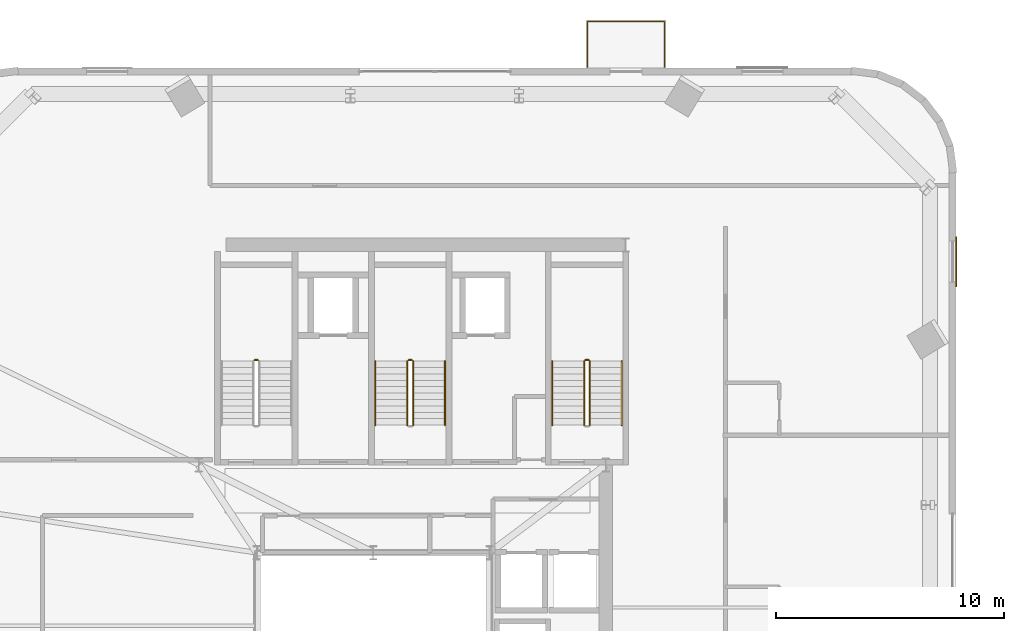
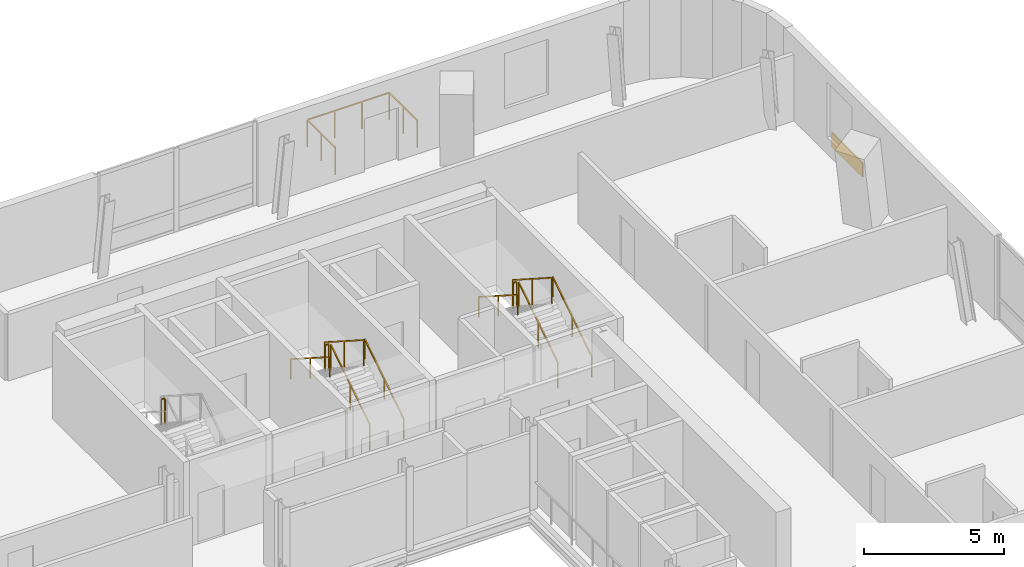
# One storey, part 15 of 15: 12 railings, 1 covering.
"""IFC4 building model written with IfcOpenShell, lengths in metres."""

import ifcopenshell
import ifcopenshell.guid

model = None  # the IFC model being written
_history = None  # IfcOwnerHistory: only IFC2X3 demands one
_inside = {}  # id of a spatial element -> (the spatial element, [elements in it])
_under = {}  # id of a project, library or spatial element -> (it, [spatial elements below it])
_declared = {}  # id of a project -> (the project, [libraries it declares])
_typed = {}  # id of a type object -> (the type object, [elements of that type])
_made_of = {}  # id of a material, layer set ... -> (it, [elements and type objects made of it])


def new_model(schema):
    """Start an empty IFC model of exactly this schema.

    Asked for "IFC4X3", IfcOpenShell would pick the latest addendum, in which some entities
    have other attributes; the version numbers below select the first issue.
    IFC2X3 requires an IfcOwnerHistory on every rooted entity: one is made here for all.
    """
    global model, _history
    if schema == "IFC4X3":
        model = ifcopenshell.file(schema_version=(4, 3, 0, 0))
    else:
        model = ifcopenshell.file(schema=schema)
    _inside.clear()
    _under.clear()
    _declared.clear()
    _typed.clear()
    _made_of.clear()
    _history = None
    if model.schema == "IFC2X3":
        org = make("IfcOrganization", Name="unknown")
        user = make(
            "IfcPersonAndOrganization",
            ThePerson=make("IfcPerson", FamilyName="unknown"),
            TheOrganization=org,
        )
        app = make(
            "IfcApplication",
            ApplicationDeveloper=org,
            Version="unknown",
            ApplicationFullName="unknown",
            ApplicationIdentifier="unknown",
        )
        _history = make(
            "IfcOwnerHistory",
            OwningUser=user,
            OwningApplication=app,
            ChangeAction="ADDED",
            CreationDate=0,
        )
    return model


def make(cls, **values):
    """One entity of the class cls with the attributes given. An attribute that is None is left unset."""
    return model.create_entity(
        cls, **{name: value for name, value in values.items() if value is not None}
    )


def rooted(cls, **values):
    """An entity with a GlobalId (a new one), such as an element, a storey or a relation."""
    return make(cls, GlobalId=ifcopenshell.guid.new(), OwnerHistory=_history, **values)


def si_unit(unit_type, name, prefix=None):
    """IfcSIUnit, for example si_unit("LENGTHUNIT", "METRE", prefix="MILLI")."""
    return make("IfcSIUnit", UnitType=unit_type, Prefix=prefix, Name=name)


def assignment(units):
    """IfcUnitAssignment: the units of a project."""
    return None if units is None else make("IfcUnitAssignment", Units=units)


def point(xyz):
    """IfcCartesianPoint."""
    return None if xyz is None else make("IfcCartesianPoint", Coordinates=xyz)


def direction(xyz):
    """IfcDirection."""
    return None if xyz is None else make("IfcDirection", DirectionRatios=xyz)


def frame(location, z_axis=None, x_axis=None):
    """IfcAxis2Placement3D, a coordinate frame: its origin and axes. An axis left out is left unset."""
    return make(
        "IfcAxis2Placement3D",
        Location=point(location),
        Axis=direction(z_axis),
        RefDirection=direction(x_axis),
    )


def frame_2d(location, x_axis=None):
    """IfcAxis2Placement2D, a coordinate frame in the plane: its origin and x axis."""
    return make(
        "IfcAxis2Placement2D", Location=point(location), RefDirection=direction(x_axis)
    )


def origin():
    """The frame at (0, 0, 0) with its axes left unset."""
    return frame((0.0, 0.0, 0.0))


def origin_2d():
    """The frame at (0, 0) in the plane with its x axis left unset."""
    return frame_2d((0.0, 0.0))


def place(relative_to, where):
    """IfcLocalPlacement: puts the frame where relative to a parent placement (None: the world)."""
    return make(
        "IfcLocalPlacement", PlacementRelTo=relative_to, RelativePlacement=where
    )


def context(
    kind, dimensions, precision=None, world=None, true_north=None, identifier=None
):
    """IfcGeometricRepresentationContext, for example the 3D "Model" context."""
    return make(
        "IfcGeometricRepresentationContext",
        ContextIdentifier=identifier,
        ContextType=kind,
        CoordinateSpaceDimension=dimensions,
        Precision=precision,
        WorldCoordinateSystem=world,
        TrueNorth=true_north,
    )


def subcontext(parent, identifier, kind, view, scale=None):
    """IfcGeometricRepresentationSubContext, for example "Body" below "Model"."""
    return make(
        "IfcGeometricRepresentationSubContext",
        ContextIdentifier=identifier,
        ContextType=kind,
        ParentContext=parent,
        TargetScale=scale,
        TargetView=view,
    )


def project(units=None, contexts=None):
    """IfcProject with its units and contexts."""
    return rooted(
        "IfcProject",
        Name="project",
        RepresentationContexts=contexts,
        UnitsInContext=assignment(units),
    )


def spatial(cls, under=None, at=None, **own):
    """A site, building, storey or space (cls), placed at a placement, below another one or the project."""
    s = rooted(cls, ObjectPlacement=at, **own)
    if under is not None:
        _under.setdefault(under.id(), (under, []))[1].append(s)
    return s


def profile(cls, at=None, kind="AREA", **sizes):
    """A parametric profile (cls). Its sizes go by their IFC names, for example OverallWidth=200.0."""
    return make(cls, ProfileType=kind, Position=at, **sizes)


def rectangle(**sizes):
    """IfcRectangleProfileDef."""
    return profile("IfcRectangleProfileDef", **sizes)


def extrude(swept, where, along, depth):
    """IfcExtrudedAreaSolid: the profile swept, set in the frame where, extruded along a direction by depth."""
    return make(
        "IfcExtrudedAreaSolid",
        SweptArea=swept,
        Position=where,
        ExtrudedDirection=direction(along),
        Depth=depth,
    )


def shape(context_of_items, identifier, shape_type, items):
    """IfcShapeRepresentation: the items that make up one representation, for example the "Body"."""
    return make(
        "IfcShapeRepresentation",
        ContextOfItems=context_of_items,
        RepresentationIdentifier=identifier,
        RepresentationType=shape_type,
        Items=items,
    )


def source(mapping_origin, context_of_items, identifier, shape_type, items):
    """IfcRepresentationMap: a shape defined once, which mapped items show again and again."""
    return make(
        "IfcRepresentationMap",
        MappingOrigin=mapping_origin,
        MappedRepresentation=shape(context_of_items, identifier, shape_type, items),
    )


def transform(
    local_origin,
    x_axis=None,
    y_axis=None,
    z_axis=None,
    scale=None,
    scale2=None,
    scale3=None,
    uniform=True,
):
    """IfcCartesianTransformationOperator3D, or its non-uniform kind. x_axis, y_axis, z_axis: its Axis1, 2, 3."""
    if uniform:
        return make(
            "IfcCartesianTransformationOperator3D",
            Axis1=direction(x_axis),
            Axis2=direction(y_axis),
            LocalOrigin=point(local_origin),
            Scale=scale,
            Axis3=direction(z_axis),
        )
    return make(
        "IfcCartesianTransformationOperator3DnonUniform",
        Axis1=direction(x_axis),
        Axis2=direction(y_axis),
        LocalOrigin=point(local_origin),
        Scale=scale,
        Axis3=direction(z_axis),
        Scale2=scale2,
        Scale3=scale3,
    )


def mapped(mapping_source, mapping_target):
    """IfcMappedItem: shows the shape of a source again, moved by a transform."""
    return make(
        "IfcMappedItem", MappingSource=mapping_source, MappingTarget=mapping_target
    )


def material(Name=None, Category=None):
    """IfcMaterial."""
    return make("IfcMaterial", Name=Name, Category=Category)


def layer(
    of_material, thickness, ventilated=None, Name=None, Category=None, Priority=None
):
    """IfcMaterialLayer: one layer of a wall or slab, of a material (None: an air gap)."""
    return make(
        "IfcMaterialLayer",
        Material=of_material,
        LayerThickness=thickness,
        IsVentilated=ventilated,
        Name=Name,
        Category=Category,
        Priority=Priority,
    )


def layer_set(layers, Name=None):
    """IfcMaterialLayerSet."""
    return make("IfcMaterialLayerSet", MaterialLayers=layers, LayerSetName=Name)


def made_of(thing, what):
    """Note that an element or type object is made of a material, layer set ...; save() writes the relation."""
    if what is not None:
        _made_of.setdefault(what.id(), (what, []))[1].append(thing)
    return thing


def type_object(cls, material=None, **own):
    """A type object (cls), such as IfcWallType, which elements share."""
    return made_of(rooted(cls, **own), material)


def element(
    cls,
    number,
    at=None,
    inside=None,
    cuts=None,
    type_object=None,
    material=None,
    context=None,
    identifier="Body",
    shape_type=None,
    held_by="IfcProductDefinitionShape",
    body=None,
    shapes=None,
    **own,
):
    """One element of the class cls, such as IfcWall. Its Tag is "e" and its number.

    at: its placement. inside: the storey or other place that contains it. cuts: it is an
    opening in that element (IfcRelVoidsElement). A single representation is given by context,
    identifier, shape_type and body (its items); several are given by shapes. held_by: the class
    of the entity that holds the representations. save() writes the other relations.
    """
    e = rooted(cls, Tag="e%d" % number, ObjectPlacement=at, **own)
    if body is not None:
        shapes = [shape(context, identifier, shape_type, body)]
    if shapes is not None:
        e.Representation = make(held_by, Representations=shapes)
    if inside is not None:
        _inside.setdefault(inside.id(), (inside, []))[1].append(e)
    if cuts is not None:
        rooted(
            "IfcRelVoidsElement", RelatingBuildingElement=cuts, RelatedOpeningElement=e
        )
    if type_object is not None:
        _typed.setdefault(type_object.id(), (type_object, []))[1].append(e)
    return made_of(e, material)


def aggregate(whole, parts):
    """IfcRelAggregates: a whole, such as a stair, and the parts it consists of."""
    return rooted("IfcRelAggregates", RelatingObject=whole, RelatedObjects=parts)


def save(model, path):
    """Write the relations noted so far, then the file.

    IfcRelAggregates (storeys below a building ...), IfcRelContainedInSpatialStructure (elements
    in a storey), IfcRelDefinesByType, IfcRelAssociatesMaterial and IfcRelDeclares: one each for
    every whole, place, type object, material and project.
    """
    for whole, parts in _under.values():
        aggregate(whole, parts)
    for where, things in _inside.values():
        rooted(
            "IfcRelContainedInSpatialStructure",
            RelatedElements=things,
            RelatingStructure=where,
        )
    for kind, things in _typed.values():
        rooted("IfcRelDefinesByType", RelatedObjects=things, RelatingType=kind)
    for what, things in _made_of.values():
        rooted("IfcRelAssociatesMaterial", RelatedObjects=things, RelatingMaterial=what)
    for by, libraries in _declared.values():
        rooted("IfcRelDeclares", RelatingContext=by, RelatedDefinitions=libraries)
    model.write(path)


model = new_model("IFC4")

# Units and contexts
model_context = context("Model", 3, precision=1e-05, world=origin(), true_north=direction((0.0, 1.0)))
body_context = subcontext(model_context, "Body", "Model", "MODEL_VIEW")
ifc_project = project(units=[si_unit("LENGTHUNIT", "METRE"), si_unit("AREAUNIT", "SQUARE_METRE"), si_unit("VOLUMEUNIT", "CUBIC_METRE"), si_unit("PLANEANGLEUNIT", "RADIAN"), si_unit("MASSUNIT", "GRAM", prefix="KILO")], contexts=[model_context])

# Site, building, storey
site_placement = place(None, origin())
site = spatial("IfcSite", under=ifc_project, at=site_placement, CompositionType="ELEMENT")
building_placement = place(site_placement, origin())
building = spatial("IfcBuilding", under=site, at=building_placement, Name="Vardaveli Station Tower", CompositionType="ELEMENT")
storey_placement = place(building_placement, frame((0.0, 0.0, 258.5)))
storey = spatial("IfcBuildingStorey", under=building, at=storey_placement, Name="L66", CompositionType="ELEMENT", Elevation=258.5)

# Covering
ifc_material_1 = material(Name="Ventilated honed travertine stone cladding", Category="masonry")
ifc_layer = layer(ifc_material_1, 0.044921875, Name="Ventilated honed travertine stone cladding")
ifc_layer_set = layer_set([ifc_layer], Name="Ventilated honed travertine stone cladding")
covering_type = type_object("IfcCoveringType", Name="COV-CLAD-TR45", PredefinedType="CLADDING", material=ifc_layer_set)
shared_shape_1 = source(origin(), body_context, "Body", "SweptSolid", [
    extrude(rectangle(XDim=2.199951171875, YDim=0.044921875, at=origin_2d()), origin(), (0.0, 0.0, 1.0), 0.6201171875),
])
covering_placement = place(storey_placement, frame((61.87451171875, 39.56298828125, 0.06982421875), z_axis=(0.0, 0.0, 1.0), x_axis=(0.0, 1.0, 0.0)))
element("IfcCovering", 1, at=covering_placement, inside=storey, type_object=covering_type, Name="CLD-TR-L66-E", PredefinedType="CLADDING", context=body_context, shape_type="MappedRepresentation", body=[
    mapped(shared_shape_1, transform((0.0, 0.0, 0.0), scale=1.0)),
])

# Railings
ifc_material_2 = material(Name="Laminated glass and stainless steel balustrade", Category="steel")
railing_type_1 = type_object("IfcRailingType", Name="RL-BAL-1200", PredefinedType="BALUSTRADE", material=ifc_material_2)
shared_shape_2 = source(origin(), body_context, "Body", "SweptSolid", [
    extrude(rectangle(XDim=0.048095703125, YDim=0.048095703125, at=origin_2d()), frame((0.0, 0.0, 1.17578125), z_axis=(0.0, 1.0, 0.0), x_axis=(-1.0, 0.0, 0.0)), (0.0, 0.0, 1.0), 2.0),
    extrude(rectangle(XDim=0.048095703125, YDim=0.048095703125, at=origin_2d()), frame((0.0, 2.0, 1.17578125), z_axis=(1.0, 0.0, 0.0), x_axis=(0.0, 1.0, 0.0)), (0.0, 0.0, 1.0), 3.380126953125),
    extrude(rectangle(XDim=0.048095703125, YDim=0.048095703125, at=origin_2d()), frame((3.380126953125, 2.0, 1.17578125), z_axis=(0.0, -1.0, 0.0), x_axis=(1.0, 0.0, 0.0)), (0.0, 0.0, 1.0), 2.0),
    extrude(rectangle(XDim=0.0419921875, YDim=0.0419921875, at=origin_2d()), origin(), (0.0, 0.0, 1.0), 1.15185546875),
    extrude(rectangle(XDim=0.0419921875, YDim=0.0419921875, at=origin_2d()), frame((0.0, 1.0, 0.0)), (0.0, 0.0, 1.0), 1.15185546875),
    extrude(rectangle(XDim=0.0419921875, YDim=0.0419921875, at=origin_2d()), frame((0.0, 2.0, 0.0)), (0.0, 0.0, 1.0), 1.15185546875),
    extrude(rectangle(XDim=0.0419921875, YDim=0.0419921875, at=origin_2d()), frame((1.126708984375, 2.0, 0.0)), (0.0, 0.0, 1.0), 1.15185546875),
    extrude(rectangle(XDim=0.0419921875, YDim=0.0419921875, at=origin_2d()), frame((2.25341796875, 2.0, 0.0)), (0.0, 0.0, 1.0), 1.15185546875),
    extrude(rectangle(XDim=0.0419921875, YDim=0.0419921875, at=origin_2d()), frame((3.380126953125, 2.0, 0.0)), (0.0, 0.0, 1.0), 1.15185546875),
    extrude(rectangle(XDim=0.0419921875, YDim=0.0419921875, at=origin_2d()), frame((3.380126953125, 1.0, 0.0)), (0.0, 0.0, 1.0), 1.15185546875),
    extrude(rectangle(XDim=0.0419921875, YDim=0.0419921875, at=origin_2d()), frame((3.380126953125, 0.0, 0.0)), (0.0, 0.0, 1.0), 1.15185546875),
])
railing_placement = place(storey_placement, frame((45.692138671875, 48.10009765625, 0.0)))
element("IfcRailing", 2, at=railing_placement, inside=storey, type_object=railing_type_1, Name="RL-LOG-L66-02", PredefinedType="BALUSTRADE", context=body_context, shape_type="MappedRepresentation", body=[
    mapped(shared_shape_2, transform((0.0, 0.0, 0.0), scale=1.0)),
])
ifc_material_3 = material(Name="Brushed AISI 316 stainless steel", Category="steel")
railing_type_2 = type_object("IfcRailingType", Name="RL-GUARD-1150", PredefinedType="GUARDRAIL", material=ifc_material_3)
shared_shape_3 = source(origin(), body_context, "Body", "SweptSolid", [
    extrude(rectangle(XDim=0.048095703125, YDim=0.048095703125, at=origin_2d()), frame((0.0, 0.0, 1.1259765625), z_axis=(-1.0, 0.0, 0.0), x_axis=(0.0, -1.0, 0.0)), (0.0, 0.0, 1.0), 0.14990234375),
    extrude(rectangle(XDim=0.0419921875, YDim=0.0419921875, at=origin_2d()), origin(), (0.0, 0.0, 1.0), 1.101806640625),
    extrude(rectangle(XDim=0.0419921875, YDim=0.0419921875, at=origin_2d()), frame((-0.14990234375, 0.0, 0.0)), (0.0, 0.0, 1.0), 1.101806640625),
])
for number, where, name in (
    (3, (31.25, 35.25, 1.97509765625), "L66 ST-1 stair guard 2"),
    (4, (38.0, 35.25, 1.97509765625), "L66 ST-2 stair guard 2"),
    (5, (45.75, 35.25, 1.97509765625), "L66 ST-3 stair guard 2"),
):
    element("IfcRailing", number, at=place(storey_placement, frame(where)), inside=storey, type_object=railing_type_2, Name=name, PredefinedType="GUARDRAIL", context=body_context, shape_type="MappedRepresentation", body=[
        mapped(shared_shape_3, transform((0.0, 0.0, 0.0), scale=1.0)),
    ])
shared_shape_4 = source(origin(), body_context, "Body", "SweptSolid", [
    extrude(rectangle(XDim=0.048095703125, YDim=0.048095703125, at=origin_2d()), frame((0.0, 0.0, 1.1259765625), z_axis=(0.0, -0.841809871826, 0.539774156196), x_axis=(1.0, 0.0, 0.0)), (0.0, 0.0, 1.0), 3.326171875),
    extrude(rectangle(XDim=0.0419921875, YDim=0.0419921875, at=origin_2d()), origin(), (0.0, 0.0, 1.0), 1.101806640625),
    extrude(rectangle(XDim=0.0419921875, YDim=0.0419921875, at=origin_2d()), frame((0.0, -1.39990234375, 0.897705078125)), (0.0, 0.0, 1.0), 1.101806640625),
    extrude(rectangle(XDim=0.0419921875, YDim=0.0419921875, at=origin_2d()), frame((0.0, -2.800048828125, 1.79541015625)), (0.0, 0.0, 1.0), 1.101806640625),
])
for number, where, name in (
    (6, (37.800048828125, 35.199951171875, 2.154541015625), "L66 ST-2 stair guard 3"),
    (7, (45.550048828125, 35.199951171875, 2.154541015625), "L66 ST-3 stair guard 3"),
):
    element("IfcRailing", number, at=place(storey_placement, frame(where)), inside=storey, type_object=railing_type_2, Name=name, PredefinedType="GUARDRAIL", context=body_context, shape_type="MappedRepresentation", body=[
        mapped(shared_shape_4, transform((0.0, 0.0, 0.0), scale=1.0)),
    ])
railing_type_3 = type_object("IfcRailingType", Name="RL-HAND-900", PredefinedType="HANDRAIL", material=ifc_material_3)
shared_shape_5 = source(origin(), body_context, "Body", "SweptSolid", [
    extrude(rectangle(XDim=0.048095703125, YDim=0.048095703125, at=origin_2d()), frame((0.0, 0.0, 0.8759765625), z_axis=(0.0, -0.841809871826, 0.539774156196), x_axis=(1.0, 0.0, 0.0)), (0.0, 0.0, 1.0), 3.326171875),
    extrude(rectangle(XDim=0.0419921875, YDim=0.0419921875, at=origin_2d()), origin(), (0.0, 0.0, 1.0), 0.851806640625),
    extrude(rectangle(XDim=0.0419921875, YDim=0.0419921875, at=origin_2d()), frame((0.0, -1.39990234375, 0.897705078125)), (0.0, 0.0, 1.0), 0.851806640625),
    extrude(rectangle(XDim=0.0419921875, YDim=0.0419921875, at=origin_2d()), frame((0.0, -2.800048828125, 1.79541015625)), (0.0, 0.0, 1.0), 0.851806640625),
])
for number, where, name in (
    (8, (36.39990234375, 35.199951171875, 2.154541015625), "L66 ST-2 stair handrail 2"),
    (9, (44.14990234375, 35.199951171875, 2.154541015625), "L66 ST-3 stair handrail 2"),
):
    element("IfcRailing", number, at=place(storey_placement, frame(where)), inside=storey, type_object=railing_type_3, Name=name, PredefinedType="HANDRAIL", context=body_context, shape_type="MappedRepresentation", body=[
        mapped(shared_shape_5, transform((0.0, 0.0, 0.0), scale=1.0)),
    ])
shared_shape_6 = source(origin(), body_context, "Body", "SweptSolid", [
    extrude(rectangle(XDim=0.048095703125, YDim=0.048095703125, at=origin_2d()), frame((0.0, 0.0, 1.1259765625), z_axis=(0.0, 0.841776520102, 0.539826166654), x_axis=(-1.0, 0.0, 0.0)), (0.0, 0.0, 1.0), 3.326416015625),
    extrude(rectangle(XDim=0.0419921875, YDim=0.0419921875, at=origin_2d()), origin(), (0.0, 0.0, 1.0), 1.101806640625),
    extrude(rectangle(XDim=0.0419921875, YDim=0.0419921875, at=origin_2d()), frame((0.0, 1.39990234375, 0.89794921875)), (0.0, 0.0, 1.0), 1.101806640625),
    extrude(rectangle(XDim=0.0419921875, YDim=0.0419921875, at=origin_2d()), frame((0.0, 2.800048828125, 1.795654296875)), (0.0, 0.0, 1.0), 1.101806640625),
])
for number, where, name in (
    (10, (38.050048828125, 32.39990234375, 0.179443359375), "L66 ST-2 stair guard 1"),
    (11, (45.800048828125, 32.39990234375, 0.179443359375), "L66 ST-3 stair guard 1"),
):
    element("IfcRailing", number, at=place(storey_placement, frame(where)), inside=storey, type_object=railing_type_2, Name=name, PredefinedType="GUARDRAIL", context=body_context, shape_type="MappedRepresentation", body=[
        mapped(shared_shape_6, transform((0.0, 0.0, 0.0), scale=1.0)),
    ])
shared_shape_7 = source(origin(), body_context, "Body", "SweptSolid", [
    extrude(rectangle(XDim=0.048095703125, YDim=0.048095703125, at=origin_2d()), frame((0.0, 0.0, 0.8759765625), z_axis=(0.0, 0.841776520102, 0.539826166654), x_axis=(-1.0, 0.0, 0.0)), (0.0, 0.0, 1.0), 3.326416015625),
    extrude(rectangle(XDim=0.0419921875, YDim=0.0419921875, at=origin_2d()), origin(), (0.0, 0.0, 1.0), 0.851806640625),
    extrude(rectangle(XDim=0.0419921875, YDim=0.0419921875, at=origin_2d()), frame((0.0, 1.39990234375, 0.89794921875)), (0.0, 0.0, 1.0), 0.851806640625),
    extrude(rectangle(XDim=0.0419921875, YDim=0.0419921875, at=origin_2d()), frame((0.0, 2.800048828125, 1.795654296875)), (0.0, 0.0, 1.0), 0.851806640625),
])
for number, where, name in (
    (12, (39.449951171875, 32.39990234375, 0.179443359375), "L66 ST-2 stair handrail 1"),
    (13, (47.199951171875, 32.39990234375, 0.179443359375), "L66 ST-3 stair handrail 1"),
):
    element("IfcRailing", number, at=place(storey_placement, frame(where)), inside=storey, type_object=railing_type_3, Name=name, PredefinedType="HANDRAIL", context=body_context, shape_type="MappedRepresentation", body=[
        mapped(shared_shape_7, transform((0.0, 0.0, 0.0), scale=1.0)),
    ])

save(model, "model.ifc")
